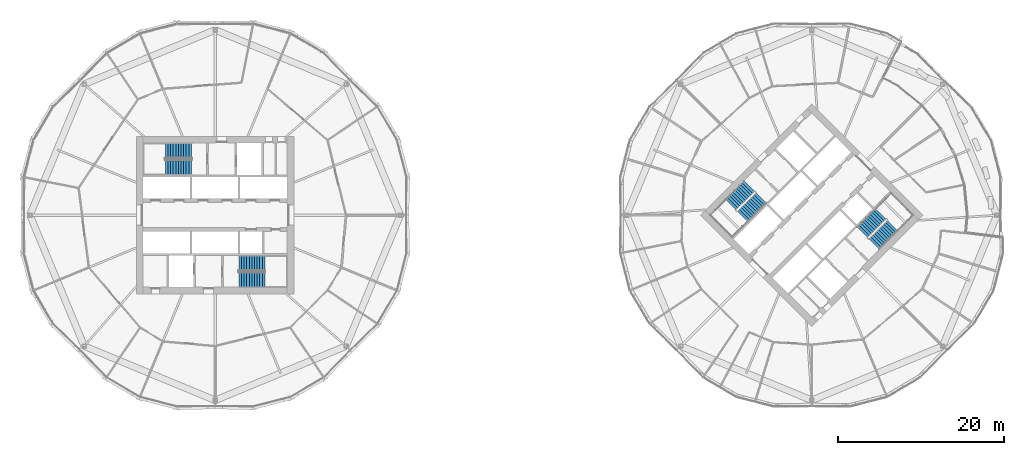
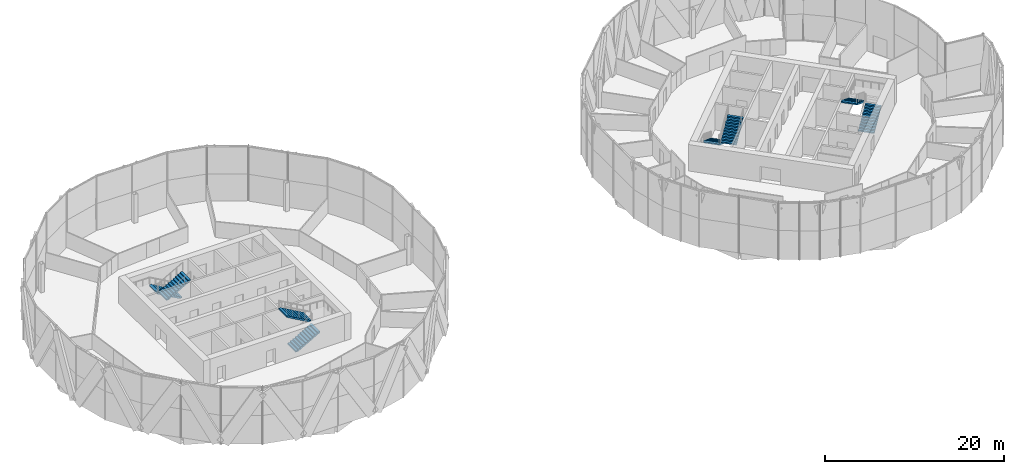
# One storey, part 24 of 27: 8 stair flights, 4 elements without a shape of their own.
"""IFC4 building model written with IfcOpenShell, lengths in metres."""

from ifc_helpers import new_model, si_unit, direction, frame, origin, place, context, subcontext, project, spatial, polyline, outline, extrude, material, type_object, element, aggregate, save


model = new_model("IFC4")

# Units and contexts
model_context = context("Model", 3, precision=1e-05, world=origin(), true_north=direction((0.0, 1.0)))
body_context = subcontext(model_context, "Body", "Model", "MODEL_VIEW")
ifc_project = project(units=[si_unit("LENGTHUNIT", "METRE"), si_unit("AREAUNIT", "SQUARE_METRE"), si_unit("VOLUMEUNIT", "CUBIC_METRE"), si_unit("PLANEANGLEUNIT", "RADIAN"), si_unit("MASSUNIT", "GRAM", prefix="KILO")], contexts=[model_context])

# Site, building, storey
site_placement = place(None, origin())
site = spatial("IfcSite", under=ifc_project, at=site_placement, CompositionType="ELEMENT")
building_placement = place(site_placement, origin())
building = spatial("IfcBuilding", under=site, at=building_placement, Name="Ogive Gate Towers", CompositionType="ELEMENT")
storey_placement = place(building_placement, frame((0.0, 0.0, 123.0)))
storey = spatial("IfcBuildingStorey", under=building, at=storey_placement, Name="L29", CompositionType="ELEMENT", Elevation=123.0)

# Stair, stair flights
ifc_material = material(Name="Concrete C40/50", Category="concrete")
stair_type = type_object("IfcStairType", Name="Escape stair 1840 wide", PredefinedType="HALF_TURN_STAIR", material=ifc_material)
stair_1_placement = place(storey_placement, origin())
stair_1 = element("IfcStair", 1, at=stair_1_placement, inside=storey, type_object=stair_type, Name="L29 Escape stair 1", PredefinedType="HALF_TURN_STAIR")
stair_flight_type = type_object("IfcStairFlightType", Name="Stair flight 1840 wide", PredefinedType="STRAIGHT", material=ifc_material)
stair_flight_1_placement = place(storey_placement, frame((-38.864990234375, 7.780029296875, 0.0), z_axis=(0.0, 0.0, 1.0), x_axis=(-1.0, 0.0, 0.0)))
stair_flight_1 = element("IfcStairFlight", 2, at=stair_flight_1_placement, type_object=stair_flight_type, Name="ST1 flight 1", NumberOfRisers=11, NumberOfTreads=10, PredefinedType="STRAIGHT", RiserHeight=0.177272727, TreadLength=0.313636364, context=body_context, shape_type="SweptSolid", body=[
    extrude(outline(polyline([(0.0, 0.0), (0.0, 0.17724609375), (0.313720703125, 0.17724609375), (0.313720703125, 0.3544921875), (0.627197265625, 0.3544921875), (0.627197265625, 0.53173828125), (0.94091796875, 0.53173828125), (0.94091796875, 0.708984375), (1.254638671875, 0.708984375), (1.254638671875, 0.886474609375), (1.568115234375, 0.886474609375), (1.568115234375, 1.063720703125), (1.8818359375, 1.063720703125), (1.8818359375, 1.240966796875), (2.195556640625, 1.240966796875), (2.195556640625, 1.418212890625), (2.509033203125, 1.418212890625), (2.509033203125, 1.595458984375), (2.82275390625, 1.595458984375), (2.82275390625, 1.772705078125), (3.136474609375, 1.772705078125), (3.136474609375, 1.949951171875), (3.136474609375, 1.6005859375), (0.3046875, 0.0), (0.0, 0.0)])), frame((0.0, 0.919921875, 0.0), z_axis=(0.0, -1.0, 0.0), x_axis=(1.0, 0.0, 0.0)), (0.0, 0.0, 1.0), 1.840087890625),
])
stair_flight_2_placement = place(storey_placement, frame((-42.00146484375, 5.794921875, 1.949951171875), z_axis=(0.0, 0.0, 1.0), x_axis=(1.0, 0.0, 0.0)))
stair_flight_2 = element("IfcStairFlight", 3, at=stair_flight_2_placement, type_object=stair_flight_type, Name="ST1 flight 2", NumberOfRisers=11, NumberOfTreads=10, PredefinedType="STRAIGHT", RiserHeight=0.177272727, TreadLength=0.313636364, context=body_context, shape_type="SweptSolid", body=[
    extrude(outline(polyline([(0.0, 0.0), (0.0, 0.17724609375), (0.313720703125, 0.17724609375), (0.313720703125, 0.3544921875), (0.627197265625, 0.3544921875), (0.627197265625, 0.53173828125), (0.94091796875, 0.53173828125), (0.94091796875, 0.708984375), (1.254638671875, 0.708984375), (1.254638671875, 0.886474609375), (1.568115234375, 0.886474609375), (1.568115234375, 1.063720703125), (1.8818359375, 1.063720703125), (1.8818359375, 1.240966796875), (2.195556640625, 1.240966796875), (2.195556640625, 1.418212890625), (2.509033203125, 1.418212890625), (2.509033203125, 1.595458984375), (2.82275390625, 1.595458984375), (2.82275390625, 1.772705078125), (3.136474609375, 1.772705078125), (3.136474609375, 1.949951171875), (3.136474609375, 1.6005859375), (0.3046875, 0.0), (0.0, 0.0)])), frame((0.0, 0.919921875, 0.0), z_axis=(0.0, -1.0, 0.0), x_axis=(1.0, 0.0, 0.0)), (0.0, 0.0, 1.0), 1.840087890625),
])
aggregate(stair_1, [stair_flight_1, stair_flight_2])

stair_2_placement = place(storey_placement, origin())
stair_2 = element("IfcStair", 4, at=stair_2_placement, inside=storey, type_object=stair_type, Name="L29 Escape stair 2", PredefinedType="HALF_TURN_STAIR")
stair_flight_3_placement = place(storey_placement, frame((-33.135009765625, -7.780029296875, 0.0), z_axis=(0.0, 0.0, 1.0), x_axis=(1.0, 0.0, 0.0)))
stair_flight_3 = element("IfcStairFlight", 5, at=stair_flight_3_placement, type_object=stair_flight_type, Name="ST2 flight 1", NumberOfRisers=11, NumberOfTreads=10, PredefinedType="STRAIGHT", RiserHeight=0.177272727, TreadLength=0.313636364, context=body_context, shape_type="SweptSolid", body=[
    extrude(outline(polyline([(0.0, 0.0), (0.0, 0.17724609375), (0.313720703125, 0.17724609375), (0.313720703125, 0.3544921875), (0.627197265625, 0.3544921875), (0.627197265625, 0.53173828125), (0.94091796875, 0.53173828125), (0.94091796875, 0.708984375), (1.254638671875, 0.708984375), (1.254638671875, 0.886474609375), (1.568115234375, 0.886474609375), (1.568115234375, 1.063720703125), (1.8818359375, 1.063720703125), (1.8818359375, 1.240966796875), (2.195556640625, 1.240966796875), (2.195556640625, 1.418212890625), (2.509033203125, 1.418212890625), (2.509033203125, 1.595458984375), (2.82275390625, 1.595458984375), (2.82275390625, 1.772705078125), (3.136474609375, 1.772705078125), (3.136474609375, 1.949951171875), (3.136474609375, 1.6005859375), (0.3046875, 0.0), (0.0, 0.0)])), frame((0.0, 0.919921875, 0.0), z_axis=(0.0, -1.0, 0.0), x_axis=(1.0, 0.0, 0.0)), (0.0, 0.0, 1.0), 1.840087890625),
])
stair_flight_4_placement = place(storey_placement, frame((-29.99853515625, -5.794921875, 1.949951171875), z_axis=(0.0, 0.0, 1.0), x_axis=(-1.0, 0.0, 0.0)))
stair_flight_4 = element("IfcStairFlight", 6, at=stair_flight_4_placement, type_object=stair_flight_type, Name="ST2 flight 2", NumberOfRisers=11, NumberOfTreads=10, PredefinedType="STRAIGHT", RiserHeight=0.177272727, TreadLength=0.313636364, context=body_context, shape_type="SweptSolid", body=[
    extrude(outline(polyline([(0.0, 0.0), (0.0, 0.17724609375), (0.313720703125, 0.17724609375), (0.313720703125, 0.3544921875), (0.627197265625, 0.3544921875), (0.627197265625, 0.53173828125), (0.94091796875, 0.53173828125), (0.94091796875, 0.708984375), (1.254638671875, 0.708984375), (1.254638671875, 0.886474609375), (1.568115234375, 0.886474609375), (1.568115234375, 1.063720703125), (1.8818359375, 1.063720703125), (1.8818359375, 1.240966796875), (2.195556640625, 1.240966796875), (2.195556640625, 1.418212890625), (2.509033203125, 1.418212890625), (2.509033203125, 1.595458984375), (2.82275390625, 1.595458984375), (2.82275390625, 1.772705078125), (3.136474609375, 1.772705078125), (3.136474609375, 1.949951171875), (3.136474609375, 1.6005859375), (0.3046875, 0.0), (0.0, 0.0)])), frame((0.0, 0.919921875, 0.0), z_axis=(0.0, -1.0, 0.0), x_axis=(1.0, 0.0, 0.0)), (0.0, 0.0, 1.0), 1.840087890625),
])
aggregate(stair_2, [stair_flight_3, stair_flight_4])

stair_3_placement = place(storey_placement, origin())
stair_3 = element("IfcStair", 7, at=stair_3_placement, inside=storey, type_object=stair_type, Name="L29 Escape stair 1", PredefinedType="HALF_TURN_STAIR")
stair_flight_5_placement = place(storey_placement, frame((28.472900390625, 3.475341796875, 0.0), z_axis=(0.0, 0.0, 1.0), x_axis=(-0.707106781187, -0.707106781187, 0.0)))
stair_flight_5 = element("IfcStairFlight", 8, at=stair_flight_5_placement, type_object=stair_flight_type, Name="ST1 flight 1", NumberOfRisers=11, NumberOfTreads=10, PredefinedType="STRAIGHT", RiserHeight=0.177272727, TreadLength=0.313636364, context=body_context, shape_type="SweptSolid", body=[
    extrude(outline(polyline([(0.0, 0.0), (0.0, 0.17724609375), (0.313720703125, 0.17724609375), (0.313720703125, 0.3544921875), (0.627197265625, 0.3544921875), (0.627197265625, 0.53173828125), (0.94091796875, 0.53173828125), (0.94091796875, 0.708984375), (1.254638671875, 0.708984375), (1.254638671875, 0.886474609375), (1.568115234375, 0.886474609375), (1.568115234375, 1.063720703125), (1.8818359375, 1.063720703125), (1.8818359375, 1.240966796875), (2.195556640625, 1.240966796875), (2.195556640625, 1.418212890625), (2.509033203125, 1.418212890625), (2.509033203125, 1.595458984375), (2.82275390625, 1.595458984375), (2.82275390625, 1.772705078125), (3.136474609375, 1.772705078125), (3.136474609375, 1.949951171875), (3.136474609375, 1.6005859375), (0.3046875, 0.0), (0.0, 0.0)])), frame((0.0, 0.919921875, 0.0), z_axis=(0.0, -1.0, 0.0), x_axis=(1.0, 0.0, 0.0)), (0.0, 0.0, 1.0), 1.840087890625),
])
stair_flight_6_placement = place(storey_placement, frame((27.65869140625, -0.14599609375, 1.949951171875), z_axis=(0.0, 0.0, 1.0), x_axis=(0.707106781187, 0.707106781187, 0.0)))
stair_flight_6 = element("IfcStairFlight", 9, at=stair_flight_6_placement, type_object=stair_flight_type, Name="ST1 flight 2", NumberOfRisers=11, NumberOfTreads=10, PredefinedType="STRAIGHT", RiserHeight=0.177272727, TreadLength=0.313636364, context=body_context, shape_type="SweptSolid", body=[
    extrude(outline(polyline([(0.0, 0.0), (0.0, 0.17724609375), (0.313720703125, 0.17724609375), (0.313720703125, 0.3544921875), (0.627197265625, 0.3544921875), (0.627197265625, 0.53173828125), (0.94091796875, 0.53173828125), (0.94091796875, 0.708984375), (1.254638671875, 0.708984375), (1.254638671875, 0.886474609375), (1.568115234375, 0.886474609375), (1.568115234375, 1.063720703125), (1.8818359375, 1.063720703125), (1.8818359375, 1.240966796875), (2.195556640625, 1.240966796875), (2.195556640625, 1.418212890625), (2.509033203125, 1.418212890625), (2.509033203125, 1.595458984375), (2.82275390625, 1.595458984375), (2.82275390625, 1.772705078125), (3.136474609375, 1.772705078125), (3.136474609375, 1.949951171875), (3.136474609375, 1.6005859375), (0.3046875, 0.0), (0.0, 0.0)])), frame((0.0, 0.919921875, 0.0), z_axis=(0.0, -1.0, 0.0), x_axis=(1.0, 0.0, 0.0)), (0.0, 0.0, 1.0), 1.840087890625),
])
aggregate(stair_3, [stair_flight_5, stair_flight_6])

stair_4_placement = place(storey_placement, origin())
stair_4 = element("IfcStair", 10, at=stair_4_placement, inside=storey, type_object=stair_type, Name="L29 Escape stair 2", PredefinedType="HALF_TURN_STAIR")
stair_flight_7_placement = place(storey_placement, frame((43.527099609375, -3.475341796875, 0.0), z_axis=(0.0, 0.0, 1.0), x_axis=(0.707106781187, 0.707106781187, 0.0)))
stair_flight_7 = element("IfcStairFlight", 11, at=stair_flight_7_placement, type_object=stair_flight_type, Name="ST2 flight 1", NumberOfRisers=11, NumberOfTreads=10, PredefinedType="STRAIGHT", RiserHeight=0.177272727, TreadLength=0.313636364, context=body_context, shape_type="SweptSolid", body=[
    extrude(outline(polyline([(0.0, 0.0), (0.0, 0.17724609375), (0.313720703125, 0.17724609375), (0.313720703125, 0.3544921875), (0.627197265625, 0.3544921875), (0.627197265625, 0.53173828125), (0.94091796875, 0.53173828125), (0.94091796875, 0.708984375), (1.254638671875, 0.708984375), (1.254638671875, 0.886474609375), (1.568115234375, 0.886474609375), (1.568115234375, 1.063720703125), (1.8818359375, 1.063720703125), (1.8818359375, 1.240966796875), (2.195556640625, 1.240966796875), (2.195556640625, 1.418212890625), (2.509033203125, 1.418212890625), (2.509033203125, 1.595458984375), (2.82275390625, 1.595458984375), (2.82275390625, 1.772705078125), (3.136474609375, 1.772705078125), (3.136474609375, 1.949951171875), (3.136474609375, 1.6005859375), (0.3046875, 0.0), (0.0, 0.0)])), frame((0.0, 0.919921875, 0.0), z_axis=(0.0, -1.0, 0.0), x_axis=(1.0, 0.0, 0.0)), (0.0, 0.0, 1.0), 1.840087890625),
])
stair_flight_8_placement = place(storey_placement, frame((44.34130859375, 0.14599609375, 1.949951171875), z_axis=(0.0, 0.0, 1.0), x_axis=(-0.707106781187, -0.707106781187, 0.0)))
stair_flight_8 = element("IfcStairFlight", 12, at=stair_flight_8_placement, type_object=stair_flight_type, Name="ST2 flight 2", NumberOfRisers=11, NumberOfTreads=10, PredefinedType="STRAIGHT", RiserHeight=0.177272727, TreadLength=0.313636364, context=body_context, shape_type="SweptSolid", body=[
    extrude(outline(polyline([(0.0, 0.0), (0.0, 0.17724609375), (0.313720703125, 0.17724609375), (0.313720703125, 0.3544921875), (0.627197265625, 0.3544921875), (0.627197265625, 0.53173828125), (0.94091796875, 0.53173828125), (0.94091796875, 0.708984375), (1.254638671875, 0.708984375), (1.254638671875, 0.886474609375), (1.568115234375, 0.886474609375), (1.568115234375, 1.063720703125), (1.8818359375, 1.063720703125), (1.8818359375, 1.240966796875), (2.195556640625, 1.240966796875), (2.195556640625, 1.418212890625), (2.509033203125, 1.418212890625), (2.509033203125, 1.595458984375), (2.82275390625, 1.595458984375), (2.82275390625, 1.772705078125), (3.136474609375, 1.772705078125), (3.136474609375, 1.949951171875), (3.136474609375, 1.6005859375), (0.3046875, 0.0), (0.0, 0.0)])), frame((0.0, 0.919921875, 0.0), z_axis=(0.0, -1.0, 0.0), x_axis=(1.0, 0.0, 0.0)), (0.0, 0.0, 1.0), 1.840087890625),
])
aggregate(stair_4, [stair_flight_7, stair_flight_8])

save(model, "model.ifc")
